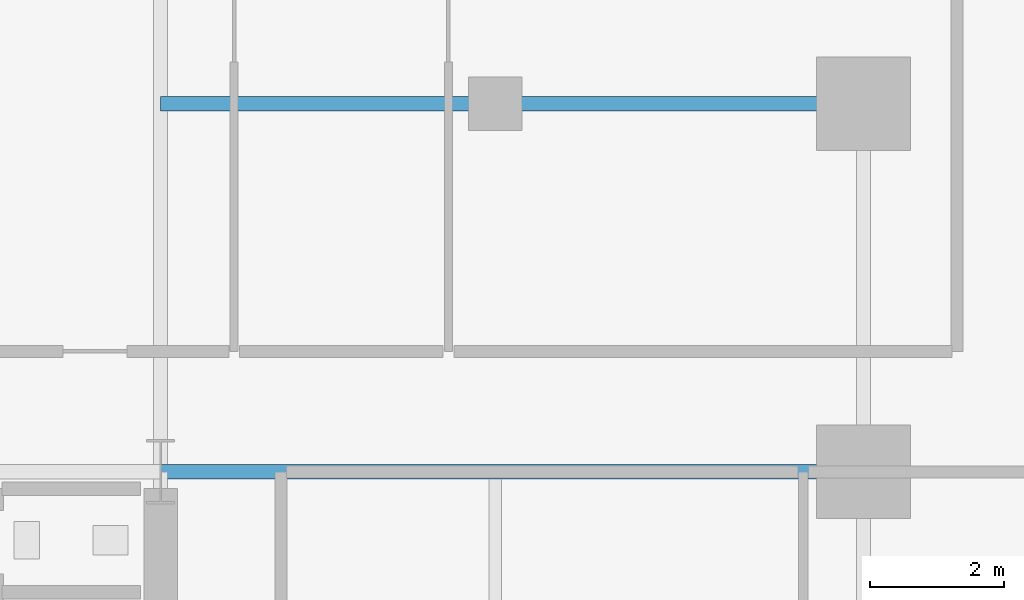
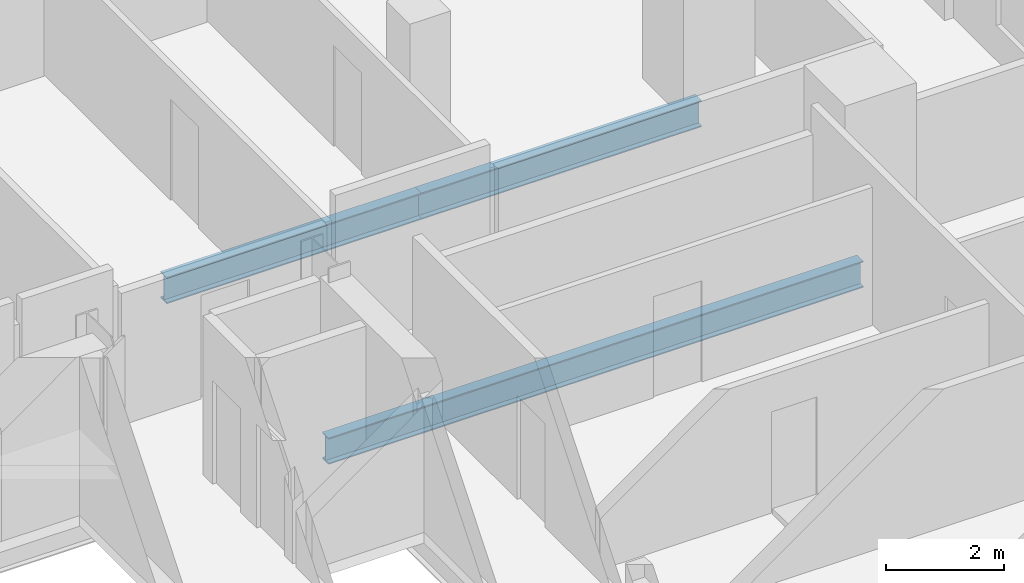
# One storey, part 14 of 24: 3 beams.
"""IFC4 building model written with IfcOpenShell, lengths in metres."""

from ifc_helpers import new_model, si_unit, direction, frame, origin, origin_2d, place, context, subcontext, project, spatial, i_section, extrude, material, material_profile, profile_set, type_object, element, save


model = new_model("IFC4")

# Units and contexts
model_context = context("Model", 3, precision=1e-05, world=origin(), true_north=direction((0.0, 1.0)))
body_context = subcontext(model_context, "Body", "Model", "MODEL_VIEW")
ifc_project = project(units=[si_unit("LENGTHUNIT", "METRE"), si_unit("AREAUNIT", "SQUARE_METRE"), si_unit("VOLUMEUNIT", "CUBIC_METRE"), si_unit("PLANEANGLEUNIT", "RADIAN"), si_unit("MASSUNIT", "GRAM", prefix="KILO")], contexts=[model_context])

# Site, building, storey
site_placement = place(None, origin())
site = spatial("IfcSite", under=ifc_project, at=site_placement, CompositionType="ELEMENT")
building_placement = place(site_placement, origin())
building = spatial("IfcBuilding", under=site, at=building_placement, Name="Barlavira Tower and Art Museum", CompositionType="ELEMENT")
storey_placement = place(building_placement, frame((0.0, 0.0, 90.0)))
storey = spatial("IfcBuildingStorey", under=building, at=storey_placement, Name="L22", CompositionType="ELEMENT", Elevation=90.0)

# Beams
ifc_material = material(Name="Steel S355", Category="steel")
ifc_material_profile = material_profile(ifc_material, i_section(OverallWidth=0.214111328125, OverallDepth=0.549072265625, WebThickness=0.0146484375, FlangeThickness=0.023681640625, at=origin_2d()), Name="W530x138.0")
ifc_profile_set = profile_set([ifc_material_profile], Name="Steel S355")
beam_type = type_object("IfcBeamType", Name="Zone 1 Primary Floor Girder W530x138 Steel S355", PredefinedType="BEAM", material=ifc_profile_set)
beam_1_placement = place(storey_placement, frame((6.5, 7.5, -0.494384765625), z_axis=(1.0, 0.0, 0.0), x_axis=(0.0, 1.0, 0.0)))
element("IfcBeam", 1, at=beam_1_placement, inside=storey, type_object=beam_type, Name="L22 Girder R-E2", PredefinedType="BEAM", context=body_context, shape_type="SweptSolid", body=[
    extrude(i_section(OverallWidth=0.214111328125, OverallDepth=0.549072265625, WebThickness=0.0146484375, FlangeThickness=0.023681640625, at=origin_2d()), origin(), (0.0, 0.0, 1.0), 10.5),
])
beam_2_placement = place(storey_placement, frame((6.5, 13.0, -0.494384765625), z_axis=(1.0, 0.0, 0.0), x_axis=(0.0, 1.0, 0.0)))
element("IfcBeam", 2, at=beam_2_placement, inside=storey, type_object=beam_type, Name="L22 Girder I-N3", PredefinedType="BEAM", context=body_context, shape_type="SweptSolid", body=[
    extrude(i_section(OverallWidth=0.214111328125, OverallDepth=0.549072265625, WebThickness=0.0146484375, FlangeThickness=0.023681640625, at=origin_2d()), origin(), (0.0, 0.0, 1.0), 5.0),
])
beam_3_placement = place(storey_placement, frame((11.5, 13.0, -0.494384765625), z_axis=(1.0, 0.0, 0.0), x_axis=(0.0, 1.0, 0.0)))
element("IfcBeam", 3, at=beam_3_placement, inside=storey, type_object=beam_type, Name="L22 Girder I-N4", PredefinedType="BEAM", context=body_context, shape_type="SweptSolid", body=[
    extrude(i_section(OverallWidth=0.214111328125, OverallDepth=0.549072265625, WebThickness=0.0146484375, FlangeThickness=0.023681640625, at=origin_2d()), origin(), (0.0, 0.0, 1.0), 5.5),
])

save(model, "model.ifc")
